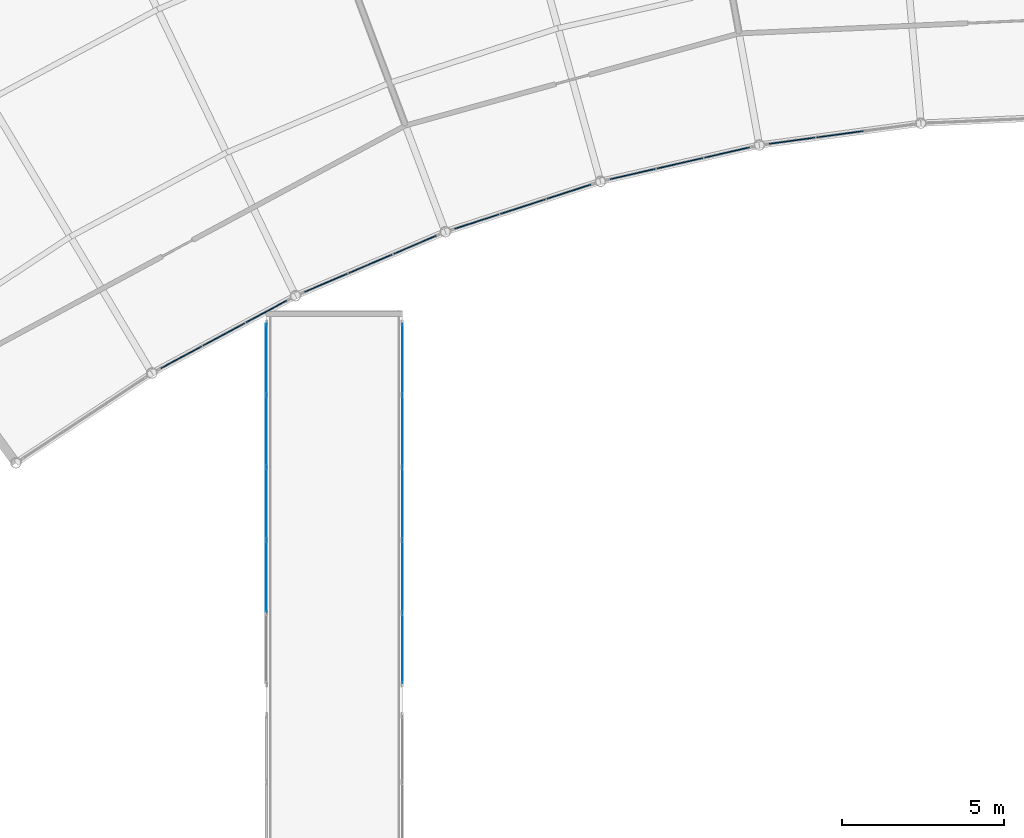
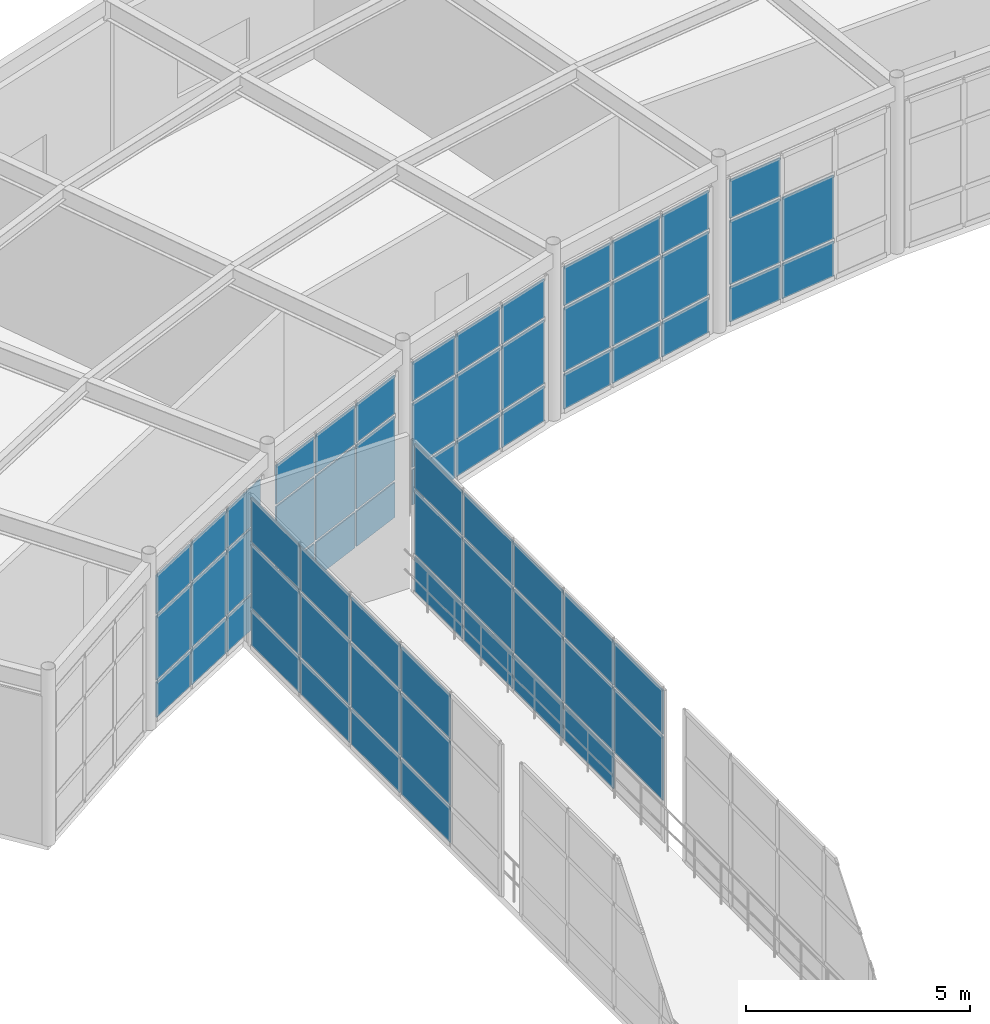
# One storey, part 88 of 116: 67 plates, 7 elements without a shape of their own.
"""IFC4 building model written with IfcOpenShell, lengths in metres."""

from ifc_helpers import new_model, si_unit, direction, frame, origin, origin_2d, place, context, subcontext, project, spatial, rectangle, extrude, material, layer, layer_set, type_object, element, aggregate, save


model = new_model("IFC4")

# Units and contexts
model_context = context("Model", 3, precision=1e-05, world=origin(), true_north=direction((0.0, 1.0)))
body_context = subcontext(model_context, "Body", "Model", "MODEL_VIEW")
ifc_project = project(units=[si_unit("LENGTHUNIT", "METRE"), si_unit("AREAUNIT", "SQUARE_METRE"), si_unit("VOLUMEUNIT", "CUBIC_METRE"), si_unit("PLANEANGLEUNIT", "RADIAN"), si_unit("MASSUNIT", "GRAM", prefix="KILO")], contexts=[model_context])

# Site, building, storey
site_placement = place(None, origin())
site = spatial("IfcSite", under=ifc_project, at=site_placement, CompositionType="ELEMENT")
building_placement = place(site_placement, origin())
building = spatial("IfcBuilding", under=site, at=building_placement, Name="Selat Folded Stagehouse", CompositionType="ELEMENT")
storey_placement = place(building_placement, frame((0.0, 0.0, 5.39990234375)))
storey = spatial("IfcBuildingStorey", under=building, at=storey_placement, Name="L01", CompositionType="ELEMENT", Elevation=5.39990234375)

# Curtain wall, plates
ifc_material_1 = material(Name="Aluminium 6063-T6", Category="aluminium")
ifc_layer_1 = layer(ifc_material_1, 0.175048828125)
ifc_layer_set_1 = layer_set([ifc_layer_1], Name="Aluminium 6063-T6")
curtain_wall_type_1 = type_object("IfcCurtainWallType", Name="CW-BRG-GLAZ", PredefinedType="NOTDEFINED", material=ifc_layer_set_1)
curtain_wall_1_placement = place(storey_placement, origin())
curtain_wall_1 = element("IfcCurtainWall", 1, at=curtain_wall_1_placement, inside=storey, type_object=curtain_wall_type_1, Name="L01 curtain wall CW-BRG-05", PredefinedType="NOTDEFINED")
ifc_material_2 = material(Name="Clear laminated double glazing", Category="glass")
ifc_layer_2 = layer(ifc_material_2, 0.028076171875)
ifc_layer_set_2 = layer_set([ifc_layer_2], Name="Clear laminated double glazing")
plate_type_1 = type_object("IfcPlateType", Name="CWP-GLZ-DGU28", PredefinedType="CURTAIN_PANEL", material=ifc_layer_set_2)
plate_1_placement = place(storey_placement, frame((67.199951171875, 79.81005859375, 0.06494140625), z_axis=(0.0, 0.0, 1.0), x_axis=(0.0, 1.0, 0.0)))
plate_1 = element("IfcPlate", 2, at=plate_1_placement, type_object=plate_type_1, Name="CW-07 panel 2.1", PredefinedType="CURTAIN_PANEL", context=body_context, shape_type="SweptSolid", body=[
    extrude(rectangle(XDim=2.179931640625, YDim=0.028076171875, at=origin_2d()), origin(), (0.0, 0.0, 1.0), 0.952392578125),
])
plate_2_placement = place(storey_placement, frame((67.199951171875, 79.81005859375, 1.08251953125), z_axis=(0.0, 0.0, 1.0), x_axis=(0.0, 1.0, 0.0)))
plate_2 = element("IfcPlate", 3, at=plate_2_placement, type_object=plate_type_1, Name="CW-07 panel 2.2", PredefinedType="CURTAIN_PANEL", context=body_context, shape_type="SweptSolid", body=[
    extrude(rectangle(XDim=2.179931640625, YDim=0.028076171875, at=origin_2d()), origin(), (0.0, 0.0, 1.0), 1.735107421875),
])
plate_3_placement = place(storey_placement, frame((67.199951171875, 79.81005859375, 2.8828125), z_axis=(0.0, 0.0, 1.0), x_axis=(0.0, 1.0, 0.0)))
plate_3 = element("IfcPlate", 4, at=plate_3_placement, type_object=plate_type_1, Name="CW-07 panel 2.3", PredefinedType="CURTAIN_PANEL", context=body_context, shape_type="SweptSolid", body=[
    extrude(rectangle(XDim=2.179931640625, YDim=0.028076171875, at=origin_2d()), origin(), (0.0, 0.0, 1.0), 1.202392578125),
])
plate_4_placement = place(storey_placement, frame((67.199951171875, 82.050048828125, 0.06494140625), z_axis=(0.0, 0.0, 1.0), x_axis=(0.0, 1.0, 0.0)))
plate_4 = element("IfcPlate", 5, at=plate_4_placement, type_object=plate_type_1, Name="CW-07 panel 3.1", PredefinedType="CURTAIN_PANEL", context=body_context, shape_type="SweptSolid", body=[
    extrude(rectangle(XDim=2.179931640625, YDim=0.028076171875, at=origin_2d()), origin(), (0.0, 0.0, 1.0), 0.952392578125),
])
plate_5_placement = place(storey_placement, frame((67.199951171875, 82.050048828125, 1.08251953125), z_axis=(0.0, 0.0, 1.0), x_axis=(0.0, 1.0, 0.0)))
plate_5 = element("IfcPlate", 6, at=plate_5_placement, type_object=plate_type_1, Name="CW-07 panel 3.2", PredefinedType="CURTAIN_PANEL", context=body_context, shape_type="SweptSolid", body=[
    extrude(rectangle(XDim=2.179931640625, YDim=0.028076171875, at=origin_2d()), origin(), (0.0, 0.0, 1.0), 1.735107421875),
])
plate_6_placement = place(storey_placement, frame((67.199951171875, 82.050048828125, 2.8828125), z_axis=(0.0, 0.0, 1.0), x_axis=(0.0, 1.0, 0.0)))
plate_6 = element("IfcPlate", 7, at=plate_6_placement, type_object=plate_type_1, Name="CW-07 panel 3.3", PredefinedType="CURTAIN_PANEL", context=body_context, shape_type="SweptSolid", body=[
    extrude(rectangle(XDim=2.179931640625, YDim=0.028076171875, at=origin_2d()), origin(), (0.0, 0.0, 1.0), 1.202392578125),
])
plate_7_placement = place(storey_placement, frame((67.199951171875, 84.2900390625, 0.06494140625), z_axis=(0.0, 0.0, 1.0), x_axis=(0.0, 1.0, 0.0)))
plate_7 = element("IfcPlate", 8, at=plate_7_placement, type_object=plate_type_1, Name="CW-07 panel 4.1", PredefinedType="CURTAIN_PANEL", context=body_context, shape_type="SweptSolid", body=[
    extrude(rectangle(XDim=2.179931640625, YDim=0.028076171875, at=origin_2d()), origin(), (0.0, 0.0, 1.0), 0.952392578125),
])
plate_8_placement = place(storey_placement, frame((67.199951171875, 84.2900390625, 1.08251953125), z_axis=(0.0, 0.0, 1.0), x_axis=(0.0, 1.0, 0.0)))
plate_8 = element("IfcPlate", 9, at=plate_8_placement, type_object=plate_type_1, Name="CW-07 panel 4.2", PredefinedType="CURTAIN_PANEL", context=body_context, shape_type="SweptSolid", body=[
    extrude(rectangle(XDim=2.179931640625, YDim=0.028076171875, at=origin_2d()), origin(), (0.0, 0.0, 1.0), 1.735107421875),
])
plate_9_placement = place(storey_placement, frame((67.199951171875, 84.2900390625, 2.8828125), z_axis=(0.0, 0.0, 1.0), x_axis=(0.0, 1.0, 0.0)))
plate_9 = element("IfcPlate", 10, at=plate_9_placement, type_object=plate_type_1, Name="CW-07 panel 4.3", PredefinedType="CURTAIN_PANEL", context=body_context, shape_type="SweptSolid", body=[
    extrude(rectangle(XDim=2.179931640625, YDim=0.028076171875, at=origin_2d()), origin(), (0.0, 0.0, 1.0), 1.202392578125),
])
plate_10_placement = place(storey_placement, frame((67.199951171875, 86.514892578125, 0.06494140625), z_axis=(0.0, 0.0, 1.0), x_axis=(0.0, 1.0, 0.0)))
plate_10 = element("IfcPlate", 11, at=plate_10_placement, type_object=plate_type_1, Name="CW-07 panel 5.1", PredefinedType="CURTAIN_PANEL", context=body_context, shape_type="SweptSolid", body=[
    extrude(rectangle(XDim=2.14990234375, YDim=0.028076171875, at=origin_2d()), origin(), (0.0, 0.0, 1.0), 0.952392578125),
])
plate_11_placement = place(storey_placement, frame((67.199951171875, 86.514892578125, 1.08251953125), z_axis=(0.0, 0.0, 1.0), x_axis=(0.0, 1.0, 0.0)))
plate_11 = element("IfcPlate", 12, at=plate_11_placement, type_object=plate_type_1, Name="CW-07 panel 5.2", PredefinedType="CURTAIN_PANEL", context=body_context, shape_type="SweptSolid", body=[
    extrude(rectangle(XDim=2.14990234375, YDim=0.028076171875, at=origin_2d()), origin(), (0.0, 0.0, 1.0), 1.735107421875),
])
plate_12_placement = place(storey_placement, frame((67.199951171875, 86.514892578125, 2.8828125), z_axis=(0.0, 0.0, 1.0), x_axis=(0.0, 1.0, 0.0)))
plate_12 = element("IfcPlate", 13, at=plate_12_placement, type_object=plate_type_1, Name="CW-07 panel 5.3", PredefinedType="CURTAIN_PANEL", context=body_context, shape_type="SweptSolid", body=[
    extrude(rectangle(XDim=2.14990234375, YDim=0.028076171875, at=origin_2d()), origin(), (0.0, 0.0, 1.0), 1.202392578125),
])
aggregate(curtain_wall_1, [plate_1, plate_2, plate_3, plate_4, plate_5, plate_6, plate_7, plate_8, plate_9, plate_10, plate_11, plate_12])

curtain_wall_2_placement = place(storey_placement, origin())
curtain_wall_2 = element("IfcCurtainWall", 14, at=curtain_wall_2_placement, inside=storey, type_object=curtain_wall_type_1, Name="L01 curtain wall CW-BRG-10", PredefinedType="NOTDEFINED")
plate_13_placement = place(storey_placement, frame((71.39990234375, 86.514892578125, 0.06494140625), z_axis=(0.0, 0.0, 1.0), x_axis=(0.0, -1.0, 0.0)))
plate_13 = element("IfcPlate", 15, at=plate_13_placement, type_object=plate_type_1, Name="CW-07 panel 1.1", PredefinedType="CURTAIN_PANEL", context=body_context, shape_type="SweptSolid", body=[
    extrude(rectangle(XDim=2.14990234375, YDim=0.028076171875, at=origin_2d()), origin(), (0.0, 0.0, 1.0), 0.952392578125),
])
plate_14_placement = place(storey_placement, frame((71.39990234375, 86.514892578125, 1.08251953125), z_axis=(0.0, 0.0, 1.0), x_axis=(0.0, -1.0, 0.0)))
plate_14 = element("IfcPlate", 16, at=plate_14_placement, type_object=plate_type_1, Name="CW-07 panel 1.2", PredefinedType="CURTAIN_PANEL", context=body_context, shape_type="SweptSolid", body=[
    extrude(rectangle(XDim=2.14990234375, YDim=0.028076171875, at=origin_2d()), origin(), (0.0, 0.0, 1.0), 1.735107421875),
])
plate_15_placement = place(storey_placement, frame((71.39990234375, 86.514892578125, 2.8828125), z_axis=(0.0, 0.0, 1.0), x_axis=(0.0, -1.0, 0.0)))
plate_15 = element("IfcPlate", 17, at=plate_15_placement, type_object=plate_type_1, Name="CW-07 panel 1.3", PredefinedType="CURTAIN_PANEL", context=body_context, shape_type="SweptSolid", body=[
    extrude(rectangle(XDim=2.14990234375, YDim=0.028076171875, at=origin_2d()), origin(), (0.0, 0.0, 1.0), 1.202392578125),
])
plate_16_placement = place(storey_placement, frame((71.39990234375, 84.2900390625, 0.06494140625), z_axis=(0.0, 0.0, 1.0), x_axis=(0.0, -1.0, 0.0)))
plate_16 = element("IfcPlate", 18, at=plate_16_placement, type_object=plate_type_1, Name="CW-07 panel 2.1", PredefinedType="CURTAIN_PANEL", context=body_context, shape_type="SweptSolid", body=[
    extrude(rectangle(XDim=2.179931640625, YDim=0.028076171875, at=origin_2d()), origin(), (0.0, 0.0, 1.0), 0.952392578125),
])
plate_17_placement = place(storey_placement, frame((71.39990234375, 84.2900390625, 1.08251953125), z_axis=(0.0, 0.0, 1.0), x_axis=(0.0, -1.0, 0.0)))
plate_17 = element("IfcPlate", 19, at=plate_17_placement, type_object=plate_type_1, Name="CW-07 panel 2.2", PredefinedType="CURTAIN_PANEL", context=body_context, shape_type="SweptSolid", body=[
    extrude(rectangle(XDim=2.179931640625, YDim=0.028076171875, at=origin_2d()), origin(), (0.0, 0.0, 1.0), 1.735107421875),
])
plate_18_placement = place(storey_placement, frame((71.39990234375, 84.2900390625, 2.8828125), z_axis=(0.0, 0.0, 1.0), x_axis=(0.0, -1.0, 0.0)))
plate_18 = element("IfcPlate", 20, at=plate_18_placement, type_object=plate_type_1, Name="CW-07 panel 2.3", PredefinedType="CURTAIN_PANEL", context=body_context, shape_type="SweptSolid", body=[
    extrude(rectangle(XDim=2.179931640625, YDim=0.028076171875, at=origin_2d()), origin(), (0.0, 0.0, 1.0), 1.202392578125),
])
plate_19_placement = place(storey_placement, frame((71.39990234375, 82.050048828125, 0.06494140625), z_axis=(0.0, 0.0, 1.0), x_axis=(0.0, -1.0, 0.0)))
plate_19 = element("IfcPlate", 21, at=plate_19_placement, type_object=plate_type_1, Name="CW-07 panel 3.1", PredefinedType="CURTAIN_PANEL", context=body_context, shape_type="SweptSolid", body=[
    extrude(rectangle(XDim=2.179931640625, YDim=0.028076171875, at=origin_2d()), origin(), (0.0, 0.0, 1.0), 0.952392578125),
])
plate_20_placement = place(storey_placement, frame((71.39990234375, 82.050048828125, 1.08251953125), z_axis=(0.0, 0.0, 1.0), x_axis=(0.0, -1.0, 0.0)))
plate_20 = element("IfcPlate", 22, at=plate_20_placement, type_object=plate_type_1, Name="CW-07 panel 3.2", PredefinedType="CURTAIN_PANEL", context=body_context, shape_type="SweptSolid", body=[
    extrude(rectangle(XDim=2.179931640625, YDim=0.028076171875, at=origin_2d()), origin(), (0.0, 0.0, 1.0), 1.735107421875),
])
plate_21_placement = place(storey_placement, frame((71.39990234375, 82.050048828125, 2.8828125), z_axis=(0.0, 0.0, 1.0), x_axis=(0.0, -1.0, 0.0)))
plate_21 = element("IfcPlate", 23, at=plate_21_placement, type_object=plate_type_1, Name="CW-07 panel 3.3", PredefinedType="CURTAIN_PANEL", context=body_context, shape_type="SweptSolid", body=[
    extrude(rectangle(XDim=2.179931640625, YDim=0.028076171875, at=origin_2d()), origin(), (0.0, 0.0, 1.0), 1.202392578125),
])
plate_22_placement = place(storey_placement, frame((71.39990234375, 79.81005859375, 0.06494140625), z_axis=(0.0, 0.0, 1.0), x_axis=(0.0, -1.0, 0.0)))
plate_22 = element("IfcPlate", 24, at=plate_22_placement, type_object=plate_type_1, Name="CW-07 panel 4.1", PredefinedType="CURTAIN_PANEL", context=body_context, shape_type="SweptSolid", body=[
    extrude(rectangle(XDim=2.179931640625, YDim=0.028076171875, at=origin_2d()), origin(), (0.0, 0.0, 1.0), 0.952392578125),
])
plate_23_placement = place(storey_placement, frame((71.39990234375, 79.81005859375, 1.08251953125), z_axis=(0.0, 0.0, 1.0), x_axis=(0.0, -1.0, 0.0)))
plate_23 = element("IfcPlate", 25, at=plate_23_placement, type_object=plate_type_1, Name="CW-07 panel 4.2", PredefinedType="CURTAIN_PANEL", context=body_context, shape_type="SweptSolid", body=[
    extrude(rectangle(XDim=2.179931640625, YDim=0.028076171875, at=origin_2d()), origin(), (0.0, 0.0, 1.0), 1.735107421875),
])
plate_24_placement = place(storey_placement, frame((71.39990234375, 79.81005859375, 2.8828125), z_axis=(0.0, 0.0, 1.0), x_axis=(0.0, -1.0, 0.0)))
plate_24 = element("IfcPlate", 26, at=plate_24_placement, type_object=plate_type_1, Name="CW-07 panel 4.3", PredefinedType="CURTAIN_PANEL", context=body_context, shape_type="SweptSolid", body=[
    extrude(rectangle(XDim=2.179931640625, YDim=0.028076171875, at=origin_2d()), origin(), (0.0, 0.0, 1.0), 1.202392578125),
])
plate_25_placement = place(storey_placement, frame((71.39990234375, 77.5849609375, 1.08251953125), z_axis=(0.0, 0.0, 1.0), x_axis=(0.0, -1.0, 0.0)))
plate_25 = element("IfcPlate", 27, at=plate_25_placement, type_object=plate_type_1, Name="CW-07 panel 5.2", PredefinedType="CURTAIN_PANEL", context=body_context, shape_type="SweptSolid", body=[
    extrude(rectangle(XDim=2.14990234375, YDim=0.028076171875, at=origin_2d()), origin(), (0.0, 0.0, 1.0), 1.735107421875),
])
plate_26_placement = place(storey_placement, frame((71.39990234375, 77.5849609375, 2.8828125), z_axis=(0.0, 0.0, 1.0), x_axis=(0.0, -1.0, 0.0)))
plate_26 = element("IfcPlate", 28, at=plate_26_placement, type_object=plate_type_1, Name="CW-07 panel 5.3", PredefinedType="CURTAIN_PANEL", context=body_context, shape_type="SweptSolid", body=[
    extrude(rectangle(XDim=2.14990234375, YDim=0.028076171875, at=origin_2d()), origin(), (0.0, 0.0, 1.0), 1.202392578125),
])
aggregate(curtain_wall_2, [plate_13, plate_14, plate_15, plate_16, plate_17, plate_18, plate_19, plate_20, plate_21, plate_22, plate_23, plate_24, plate_25, plate_26])

ifc_layer_3 = layer(ifc_material_1, 0.18994140625)
ifc_layer_set_3 = layer_set([ifc_layer_3], Name="Aluminium 6063-T6")
curtain_wall_type_2 = type_object("IfcCurtainWallType", Name="CW-REH-ARC", PredefinedType="NOTDEFINED", material=ifc_layer_set_3)
curtain_wall_3_placement = place(storey_placement, origin())
curtain_wall_3 = element("IfcCurtainWall", 29, at=curtain_wall_3_placement, inside=storey, type_object=curtain_wall_type_2, Name="L01 curtain wall CW-REH-L01-01", PredefinedType="NOTDEFINED")
ifc_material_3 = material(Name="Laminated low-E double glazing", Category="glass")
ifc_layer_4 = layer(ifc_material_3, 0.031982421875)
ifc_layer_set_4 = layer_set([ifc_layer_4], Name="Laminated low-E double glazing")
plate_type_2 = type_object("IfcPlateType", Name="CWP-GLZ-DGU32", PredefinedType="CURTAIN_PANEL", material=ifc_layer_set_4)
plate_27_placement = place(storey_placement, frame((67.205078125, 87.971435546875, 0.06494140625), z_axis=(0.0, 0.0, 1.0), x_axis=(-0.880600927119, -0.473858636259, 0.0)))
plate_27 = element("IfcPlate", 30, at=plate_27_placement, type_object=plate_type_2, Name="CW-06 panel 1.1", PredefinedType="CURTAIN_PANEL", context=body_context, shape_type="SweptSolid", body=[
    extrude(rectangle(XDim=1.418212890625, YDim=0.031982421875, at=origin_2d()), origin(), (0.0, 0.0, 1.0), 0.952392578125),
])
plate_28_placement = place(storey_placement, frame((67.205078125, 87.971435546875, 1.08251953125), z_axis=(0.0, 0.0, 1.0), x_axis=(-0.880600927119, -0.473858636259, 0.0)))
plate_28 = element("IfcPlate", 31, at=plate_28_placement, type_object=plate_type_2, Name="CW-06 panel 1.2", PredefinedType="CURTAIN_PANEL", context=body_context, shape_type="SweptSolid", body=[
    extrude(rectangle(XDim=1.418212890625, YDim=0.031982421875, at=origin_2d()), origin(), (0.0, 0.0, 1.0), 1.735107421875),
])
plate_29_placement = place(storey_placement, frame((67.205078125, 87.971435546875, 2.8828125), z_axis=(0.0, 0.0, 1.0), x_axis=(-0.880600927119, -0.473858636259, 0.0)))
plate_29 = element("IfcPlate", 32, at=plate_29_placement, type_object=plate_type_2, Name="CW-06 panel 1.3", PredefinedType="CURTAIN_PANEL", context=body_context, shape_type="SweptSolid", body=[
    extrude(rectangle(XDim=1.418212890625, YDim=0.031982421875, at=origin_2d()), origin(), (0.0, 0.0, 1.0), 1.052490234375),
])
plate_30_placement = place(storey_placement, frame((65.89013671875, 87.263671875, 0.06494140625), z_axis=(0.0, 0.0, 1.0), x_axis=(-0.880600927119, -0.473858636259, 0.0)))
plate_30 = element("IfcPlate", 33, at=plate_30_placement, type_object=plate_type_2, Name="CW-06 panel 2.1", PredefinedType="CURTAIN_PANEL", context=body_context, shape_type="SweptSolid", body=[
    extrude(rectangle(XDim=1.4482421875, YDim=0.031982421875, at=origin_2d()), origin(), (0.0, 0.0, 1.0), 0.952392578125),
])
plate_31_placement = place(storey_placement, frame((65.89013671875, 87.263671875, 1.08251953125), z_axis=(0.0, 0.0, 1.0), x_axis=(-0.880600927119, -0.473858636259, 0.0)))
plate_31 = element("IfcPlate", 34, at=plate_31_placement, type_object=plate_type_2, Name="CW-06 panel 2.2", PredefinedType="CURTAIN_PANEL", context=body_context, shape_type="SweptSolid", body=[
    extrude(rectangle(XDim=1.4482421875, YDim=0.031982421875, at=origin_2d()), origin(), (0.0, 0.0, 1.0), 1.735107421875),
])
plate_32_placement = place(storey_placement, frame((65.89013671875, 87.263671875, 2.8828125), z_axis=(0.0, 0.0, 1.0), x_axis=(-0.880600927119, -0.473858636259, 0.0)))
plate_32 = element("IfcPlate", 35, at=plate_32_placement, type_object=plate_type_2, Name="CW-06 panel 2.3", PredefinedType="CURTAIN_PANEL", context=body_context, shape_type="SweptSolid", body=[
    extrude(rectangle(XDim=1.4482421875, YDim=0.031982421875, at=origin_2d()), origin(), (0.0, 0.0, 1.0), 1.052490234375),
])
plate_33_placement = place(storey_placement, frame((64.574951171875, 86.55615234375, 0.06494140625), z_axis=(0.0, 0.0, 1.0), x_axis=(-0.880600927119, -0.473858636259, 0.0)))
plate_33 = element("IfcPlate", 36, at=plate_33_placement, type_object=plate_type_2, Name="CW-06 panel 3.1", PredefinedType="CURTAIN_PANEL", context=body_context, shape_type="SweptSolid", body=[
    extrude(rectangle(XDim=1.418212890625, YDim=0.031982421875, at=origin_2d()), origin(), (0.0, 0.0, 1.0), 0.952392578125),
])
plate_34_placement = place(storey_placement, frame((64.574951171875, 86.55615234375, 1.08251953125), z_axis=(0.0, 0.0, 1.0), x_axis=(-0.880600927119, -0.473858636259, 0.0)))
plate_34 = element("IfcPlate", 37, at=plate_34_placement, type_object=plate_type_2, Name="CW-06 panel 3.2", PredefinedType="CURTAIN_PANEL", context=body_context, shape_type="SweptSolid", body=[
    extrude(rectangle(XDim=1.418212890625, YDim=0.031982421875, at=origin_2d()), origin(), (0.0, 0.0, 1.0), 1.735107421875),
])
plate_35_placement = place(storey_placement, frame((64.574951171875, 86.55615234375, 2.8828125), z_axis=(0.0, 0.0, 1.0), x_axis=(-0.880600927119, -0.473858636259, 0.0)))
plate_35 = element("IfcPlate", 38, at=plate_35_placement, type_object=plate_type_2, Name="CW-06 panel 3.3", PredefinedType="CURTAIN_PANEL", context=body_context, shape_type="SweptSolid", body=[
    extrude(rectangle(XDim=1.418212890625, YDim=0.031982421875, at=origin_2d()), origin(), (0.0, 0.0, 1.0), 1.052490234375),
])
aggregate(curtain_wall_3, [plate_27, plate_28, plate_29, plate_30, plate_31, plate_32, plate_33, plate_34, plate_35])

curtain_wall_4_placement = place(storey_placement, origin())
curtain_wall_4 = element("IfcCurtainWall", 39, at=curtain_wall_4_placement, inside=storey, type_object=curtain_wall_type_2, Name="L01 curtain wall CW-REH-L01-02", PredefinedType="NOTDEFINED")
plate_36_placement = place(storey_placement, frame((71.785888671875, 90.028564453125, 0.06494140625), z_axis=(0.0, 0.0, 1.0), x_axis=(-0.919533245639, -0.393012226483, 0.0)))
plate_36 = element("IfcPlate", 40, at=plate_36_placement, type_object=plate_type_2, Name="CW-06 panel 1.1", PredefinedType="CURTAIN_PANEL", context=body_context, shape_type="SweptSolid", body=[
    extrude(rectangle(XDim=1.418212890625, YDim=0.031982421875, at=origin_2d()), origin(), (0.0, 0.0, 1.0), 0.952392578125),
])
plate_37_placement = place(storey_placement, frame((71.785888671875, 90.028564453125, 1.08251953125), z_axis=(0.0, 0.0, 1.0), x_axis=(-0.919533245639, -0.393012226483, 0.0)))
plate_37 = element("IfcPlate", 41, at=plate_37_placement, type_object=plate_type_2, Name="CW-06 panel 1.2", PredefinedType="CURTAIN_PANEL", context=body_context, shape_type="SweptSolid", body=[
    extrude(rectangle(XDim=1.418212890625, YDim=0.031982421875, at=origin_2d()), origin(), (0.0, 0.0, 1.0), 1.735107421875),
])
plate_38_placement = place(storey_placement, frame((71.785888671875, 90.028564453125, 2.8828125), z_axis=(0.0, 0.0, 1.0), x_axis=(-0.919533245639, -0.393012226483, 0.0)))
plate_38 = element("IfcPlate", 42, at=plate_38_placement, type_object=plate_type_2, Name="CW-06 panel 1.3", PredefinedType="CURTAIN_PANEL", context=body_context, shape_type="SweptSolid", body=[
    extrude(rectangle(XDim=1.418212890625, YDim=0.031982421875, at=origin_2d()), origin(), (0.0, 0.0, 1.0), 1.052490234375),
])
plate_39_placement = place(storey_placement, frame((70.412841796875, 89.441650390625, 0.06494140625), z_axis=(0.0, 0.0, 1.0), x_axis=(-0.919533245639, -0.393012226483, 0.0)))
plate_39 = element("IfcPlate", 43, at=plate_39_placement, type_object=plate_type_2, Name="CW-06 panel 2.1", PredefinedType="CURTAIN_PANEL", context=body_context, shape_type="SweptSolid", body=[
    extrude(rectangle(XDim=1.4482421875, YDim=0.031982421875, at=origin_2d()), origin(), (0.0, 0.0, 1.0), 0.952392578125),
])
plate_40_placement = place(storey_placement, frame((70.412841796875, 89.441650390625, 1.08251953125), z_axis=(0.0, 0.0, 1.0), x_axis=(-0.919533245639, -0.393012226483, 0.0)))
plate_40 = element("IfcPlate", 44, at=plate_40_placement, type_object=plate_type_2, Name="CW-06 panel 2.2", PredefinedType="CURTAIN_PANEL", context=body_context, shape_type="SweptSolid", body=[
    extrude(rectangle(XDim=1.4482421875, YDim=0.031982421875, at=origin_2d()), origin(), (0.0, 0.0, 1.0), 1.735107421875),
])
plate_41_placement = place(storey_placement, frame((70.412841796875, 89.441650390625, 2.8828125), z_axis=(0.0, 0.0, 1.0), x_axis=(-0.919533245639, -0.393012226483, 0.0)))
plate_41 = element("IfcPlate", 45, at=plate_41_placement, type_object=plate_type_2, Name="CW-06 panel 2.3", PredefinedType="CURTAIN_PANEL", context=body_context, shape_type="SweptSolid", body=[
    extrude(rectangle(XDim=1.4482421875, YDim=0.031982421875, at=origin_2d()), origin(), (0.0, 0.0, 1.0), 1.052490234375),
])
plate_42_placement = place(storey_placement, frame((69.03955078125, 88.85498046875, 0.06494140625), z_axis=(0.0, 0.0, 1.0), x_axis=(-0.919533245639, -0.393012226483, 0.0)))
plate_42 = element("IfcPlate", 46, at=plate_42_placement, type_object=plate_type_2, Name="CW-06 panel 3.1", PredefinedType="CURTAIN_PANEL", context=body_context, shape_type="SweptSolid", body=[
    extrude(rectangle(XDim=1.418212890625, YDim=0.031982421875, at=origin_2d()), origin(), (0.0, 0.0, 1.0), 0.952392578125),
])
plate_43_placement = place(storey_placement, frame((69.03955078125, 88.85498046875, 1.08251953125), z_axis=(0.0, 0.0, 1.0), x_axis=(-0.919533245639, -0.393012226483, 0.0)))
plate_43 = element("IfcPlate", 47, at=plate_43_placement, type_object=plate_type_2, Name="CW-06 panel 3.2", PredefinedType="CURTAIN_PANEL", context=body_context, shape_type="SweptSolid", body=[
    extrude(rectangle(XDim=1.418212890625, YDim=0.031982421875, at=origin_2d()), origin(), (0.0, 0.0, 1.0), 1.735107421875),
])
plate_44_placement = place(storey_placement, frame((69.03955078125, 88.85498046875, 2.8828125), z_axis=(0.0, 0.0, 1.0), x_axis=(-0.919533245639, -0.393012226483, 0.0)))
plate_44 = element("IfcPlate", 48, at=plate_44_placement, type_object=plate_type_2, Name="CW-06 panel 3.3", PredefinedType="CURTAIN_PANEL", context=body_context, shape_type="SweptSolid", body=[
    extrude(rectangle(XDim=1.418212890625, YDim=0.031982421875, at=origin_2d()), origin(), (0.0, 0.0, 1.0), 1.052490234375),
])
aggregate(curtain_wall_4, [plate_36, plate_37, plate_38, plate_39, plate_40, plate_41, plate_42, plate_43, plate_44])

curtain_wall_5_placement = place(storey_placement, origin())
curtain_wall_5 = element("IfcCurtainWall", 49, at=curtain_wall_5_placement, inside=storey, type_object=curtain_wall_type_2, Name="L01 curtain wall CW-REH-L01-03", PredefinedType="NOTDEFINED")
plate_45_placement = place(storey_placement, frame((76.53271484375, 91.6669921875, 0.06494140625), z_axis=(0.0, 0.0, 1.0), x_axis=(-0.951064760323, -0.308991620714, 0.0)))
plate_45 = element("IfcPlate", 50, at=plate_45_placement, type_object=plate_type_2, Name="CW-06 panel 1.1", PredefinedType="CURTAIN_PANEL", context=body_context, shape_type="SweptSolid", body=[
    extrude(rectangle(XDim=1.418212890625, YDim=0.031982421875, at=origin_2d()), origin(), (0.0, 0.0, 1.0), 0.952392578125),
])
plate_46_placement = place(storey_placement, frame((76.53271484375, 91.6669921875, 1.08251953125), z_axis=(0.0, 0.0, 1.0), x_axis=(-0.951064760323, -0.308991620714, 0.0)))
plate_46 = element("IfcPlate", 51, at=plate_46_placement, type_object=plate_type_2, Name="CW-06 panel 1.2", PredefinedType="CURTAIN_PANEL", context=body_context, shape_type="SweptSolid", body=[
    extrude(rectangle(XDim=1.418212890625, YDim=0.031982421875, at=origin_2d()), origin(), (0.0, 0.0, 1.0), 1.735107421875),
])
plate_47_placement = place(storey_placement, frame((76.53271484375, 91.6669921875, 2.8828125), z_axis=(0.0, 0.0, 1.0), x_axis=(-0.951064760323, -0.308991620714, 0.0)))
plate_47 = element("IfcPlate", 52, at=plate_47_placement, type_object=plate_type_2, Name="CW-06 panel 1.3", PredefinedType="CURTAIN_PANEL", context=body_context, shape_type="SweptSolid", body=[
    extrude(rectangle(XDim=1.418212890625, YDim=0.031982421875, at=origin_2d()), origin(), (0.0, 0.0, 1.0), 1.052490234375),
])
plate_48_placement = place(storey_placement, frame((75.112548828125, 91.20556640625, 0.06494140625), z_axis=(0.0, 0.0, 1.0), x_axis=(-0.951064760323, -0.308991620714, 0.0)))
plate_48 = element("IfcPlate", 53, at=plate_48_placement, type_object=plate_type_2, Name="CW-06 panel 2.1", PredefinedType="CURTAIN_PANEL", context=body_context, shape_type="SweptSolid", body=[
    extrude(rectangle(XDim=1.4482421875, YDim=0.031982421875, at=origin_2d()), origin(), (0.0, 0.0, 1.0), 0.952392578125),
])
plate_49_placement = place(storey_placement, frame((75.112548828125, 91.20556640625, 1.08251953125), z_axis=(0.0, 0.0, 1.0), x_axis=(-0.951064760323, -0.308991620714, 0.0)))
plate_49 = element("IfcPlate", 54, at=plate_49_placement, type_object=plate_type_2, Name="CW-06 panel 2.2", PredefinedType="CURTAIN_PANEL", context=body_context, shape_type="SweptSolid", body=[
    extrude(rectangle(XDim=1.4482421875, YDim=0.031982421875, at=origin_2d()), origin(), (0.0, 0.0, 1.0), 1.735107421875),
])
plate_50_placement = place(storey_placement, frame((75.112548828125, 91.20556640625, 2.8828125), z_axis=(0.0, 0.0, 1.0), x_axis=(-0.951064760323, -0.308991620714, 0.0)))
plate_50 = element("IfcPlate", 55, at=plate_50_placement, type_object=plate_type_2, Name="CW-06 panel 2.3", PredefinedType="CURTAIN_PANEL", context=body_context, shape_type="SweptSolid", body=[
    extrude(rectangle(XDim=1.4482421875, YDim=0.031982421875, at=origin_2d()), origin(), (0.0, 0.0, 1.0), 1.052490234375),
])
plate_51_placement = place(storey_placement, frame((73.6923828125, 90.744140625, 0.06494140625), z_axis=(0.0, 0.0, 1.0), x_axis=(-0.951064760323, -0.308991620714, 0.0)))
plate_51 = element("IfcPlate", 56, at=plate_51_placement, type_object=plate_type_2, Name="CW-06 panel 3.1", PredefinedType="CURTAIN_PANEL", context=body_context, shape_type="SweptSolid", body=[
    extrude(rectangle(XDim=1.418212890625, YDim=0.031982421875, at=origin_2d()), origin(), (0.0, 0.0, 1.0), 0.952392578125),
])
plate_52_placement = place(storey_placement, frame((73.6923828125, 90.744140625, 1.08251953125), z_axis=(0.0, 0.0, 1.0), x_axis=(-0.951064760323, -0.308991620714, 0.0)))
plate_52 = element("IfcPlate", 57, at=plate_52_placement, type_object=plate_type_2, Name="CW-06 panel 3.2", PredefinedType="CURTAIN_PANEL", context=body_context, shape_type="SweptSolid", body=[
    extrude(rectangle(XDim=1.418212890625, YDim=0.031982421875, at=origin_2d()), origin(), (0.0, 0.0, 1.0), 1.735107421875),
])
plate_53_placement = place(storey_placement, frame((73.6923828125, 90.744140625, 2.8828125), z_axis=(0.0, 0.0, 1.0), x_axis=(-0.951064760323, -0.308991620714, 0.0)))
plate_53 = element("IfcPlate", 58, at=plate_53_placement, type_object=plate_type_2, Name="CW-06 panel 3.3", PredefinedType="CURTAIN_PANEL", context=body_context, shape_type="SweptSolid", body=[
    extrude(rectangle(XDim=1.418212890625, YDim=0.031982421875, at=origin_2d()), origin(), (0.0, 0.0, 1.0), 1.052490234375),
])
aggregate(curtain_wall_5, [plate_45, plate_46, plate_47, plate_48, plate_49, plate_50, plate_51, plate_52, plate_53])

curtain_wall_6_placement = place(storey_placement, origin())
curtain_wall_6 = element("IfcCurtainWall", 59, at=curtain_wall_6_placement, inside=storey, type_object=curtain_wall_type_2, Name="L01 curtain wall CW-REH-L01-04", PredefinedType="NOTDEFINED")
plate_54_placement = place(storey_placement, frame((81.4072265625, 92.873291015625, 0.06494140625), z_axis=(0.0, 0.0, 1.0), x_axis=(-0.974922930026, -0.222542761079, 0.0)))
plate_54 = element("IfcPlate", 60, at=plate_54_placement, type_object=plate_type_2, Name="CW-06 panel 1.1", PredefinedType="CURTAIN_PANEL", context=body_context, shape_type="SweptSolid", body=[
    extrude(rectangle(XDim=1.418212890625, YDim=0.031982421875, at=origin_2d()), origin(), (0.0, 0.0, 1.0), 0.952392578125),
])
plate_55_placement = place(storey_placement, frame((81.4072265625, 92.873291015625, 1.08251953125), z_axis=(0.0, 0.0, 1.0), x_axis=(-0.974922930026, -0.222542761079, 0.0)))
plate_55 = element("IfcPlate", 61, at=plate_55_placement, type_object=plate_type_2, Name="CW-06 panel 1.2", PredefinedType="CURTAIN_PANEL", context=body_context, shape_type="SweptSolid", body=[
    extrude(rectangle(XDim=1.418212890625, YDim=0.031982421875, at=origin_2d()), origin(), (0.0, 0.0, 1.0), 1.735107421875),
])
plate_56_placement = place(storey_placement, frame((81.4072265625, 92.873291015625, 2.8828125), z_axis=(0.0, 0.0, 1.0), x_axis=(-0.974922930026, -0.222542761079, 0.0)))
plate_56 = element("IfcPlate", 62, at=plate_56_placement, type_object=plate_type_2, Name="CW-06 panel 1.3", PredefinedType="CURTAIN_PANEL", context=body_context, shape_type="SweptSolid", body=[
    extrude(rectangle(XDim=1.418212890625, YDim=0.031982421875, at=origin_2d()), origin(), (0.0, 0.0, 1.0), 1.052490234375),
])
plate_57_placement = place(storey_placement, frame((79.951416015625, 92.541015625, 0.06494140625), z_axis=(0.0, 0.0, 1.0), x_axis=(-0.974922930026, -0.222542761079, 0.0)))
plate_57 = element("IfcPlate", 63, at=plate_57_placement, type_object=plate_type_2, Name="CW-06 panel 2.1", PredefinedType="CURTAIN_PANEL", context=body_context, shape_type="SweptSolid", body=[
    extrude(rectangle(XDim=1.4482421875, YDim=0.031982421875, at=origin_2d()), origin(), (0.0, 0.0, 1.0), 0.952392578125),
])
plate_58_placement = place(storey_placement, frame((79.951416015625, 92.541015625, 1.08251953125), z_axis=(0.0, 0.0, 1.0), x_axis=(-0.974922930026, -0.222542761079, 0.0)))
plate_58 = element("IfcPlate", 64, at=plate_58_placement, type_object=plate_type_2, Name="CW-06 panel 2.2", PredefinedType="CURTAIN_PANEL", context=body_context, shape_type="SweptSolid", body=[
    extrude(rectangle(XDim=1.4482421875, YDim=0.031982421875, at=origin_2d()), origin(), (0.0, 0.0, 1.0), 1.735107421875),
])
plate_59_placement = place(storey_placement, frame((79.951416015625, 92.541015625, 2.8828125), z_axis=(0.0, 0.0, 1.0), x_axis=(-0.974922930026, -0.222542761079, 0.0)))
plate_59 = element("IfcPlate", 65, at=plate_59_placement, type_object=plate_type_2, Name="CW-06 panel 2.3", PredefinedType="CURTAIN_PANEL", context=body_context, shape_type="SweptSolid", body=[
    extrude(rectangle(XDim=1.4482421875, YDim=0.031982421875, at=origin_2d()), origin(), (0.0, 0.0, 1.0), 1.052490234375),
])
plate_60_placement = place(storey_placement, frame((78.495361328125, 92.208740234375, 0.06494140625), z_axis=(0.0, 0.0, 1.0), x_axis=(-0.974922930026, -0.222542761079, 0.0)))
plate_60 = element("IfcPlate", 66, at=plate_60_placement, type_object=plate_type_2, Name="CW-06 panel 3.1", PredefinedType="CURTAIN_PANEL", context=body_context, shape_type="SweptSolid", body=[
    extrude(rectangle(XDim=1.418212890625, YDim=0.031982421875, at=origin_2d()), origin(), (0.0, 0.0, 1.0), 0.952392578125),
])
plate_61_placement = place(storey_placement, frame((78.495361328125, 92.208740234375, 1.08251953125), z_axis=(0.0, 0.0, 1.0), x_axis=(-0.974922930026, -0.222542761079, 0.0)))
plate_61 = element("IfcPlate", 67, at=plate_61_placement, type_object=plate_type_2, Name="CW-06 panel 3.2", PredefinedType="CURTAIN_PANEL", context=body_context, shape_type="SweptSolid", body=[
    extrude(rectangle(XDim=1.418212890625, YDim=0.031982421875, at=origin_2d()), origin(), (0.0, 0.0, 1.0), 1.735107421875),
])
plate_62_placement = place(storey_placement, frame((78.495361328125, 92.208740234375, 2.8828125), z_axis=(0.0, 0.0, 1.0), x_axis=(-0.974922930026, -0.222542761079, 0.0)))
plate_62 = element("IfcPlate", 68, at=plate_62_placement, type_object=plate_type_2, Name="CW-06 panel 3.3", PredefinedType="CURTAIN_PANEL", context=body_context, shape_type="SweptSolid", body=[
    extrude(rectangle(XDim=1.418212890625, YDim=0.031982421875, at=origin_2d()), origin(), (0.0, 0.0, 1.0), 1.052490234375),
])
aggregate(curtain_wall_6, [plate_54, plate_55, plate_56, plate_57, plate_58, plate_59, plate_60, plate_61, plate_62])

curtain_wall_7_placement = place(storey_placement, origin())
curtain_wall_7 = element("IfcCurtainWall", 69, at=curtain_wall_7_placement, inside=storey, type_object=curtain_wall_type_2, Name="L01 curtain wall CW-REH-L01-05", PredefinedType="NOTDEFINED")
plate_63_placement = place(storey_placement, frame((84.890380859375, 93.437255859375, 0.06494140625), z_axis=(0.0, 0.0, 1.0), x_axis=(-0.990952673876, -0.134211766018, 0.0)))
plate_63 = element("IfcPlate", 70, at=plate_63_placement, type_object=plate_type_2, Name="CW-06 panel 2.1", PredefinedType="CURTAIN_PANEL", context=body_context, shape_type="SweptSolid", body=[
    extrude(rectangle(XDim=1.4482421875, YDim=0.031982421875, at=origin_2d()), origin(), (0.0, 0.0, 1.0), 0.952392578125),
])
plate_64_placement = place(storey_placement, frame((84.890380859375, 93.437255859375, 1.08251953125), z_axis=(0.0, 0.0, 1.0), x_axis=(-0.990952673876, -0.134211766018, 0.0)))
plate_64 = element("IfcPlate", 71, at=plate_64_placement, type_object=plate_type_2, Name="CW-06 panel 2.2", PredefinedType="CURTAIN_PANEL", context=body_context, shape_type="SweptSolid", body=[
    extrude(rectangle(XDim=1.4482421875, YDim=0.031982421875, at=origin_2d()), origin(), (0.0, 0.0, 1.0), 1.735107421875),
])
plate_65_placement = place(storey_placement, frame((83.41064453125, 93.23681640625, 0.06494140625), z_axis=(0.0, 0.0, 1.0), x_axis=(-0.990952673876, -0.134211766018, 0.0)))
plate_65 = element("IfcPlate", 72, at=plate_65_placement, type_object=plate_type_2, Name="CW-06 panel 3.1", PredefinedType="CURTAIN_PANEL", context=body_context, shape_type="SweptSolid", body=[
    extrude(rectangle(XDim=1.418212890625, YDim=0.031982421875, at=origin_2d()), origin(), (0.0, 0.0, 1.0), 0.952392578125),
])
plate_66_placement = place(storey_placement, frame((83.41064453125, 93.23681640625, 1.08251953125), z_axis=(0.0, 0.0, 1.0), x_axis=(-0.990952673876, -0.134211766018, 0.0)))
plate_66 = element("IfcPlate", 73, at=plate_66_placement, type_object=plate_type_2, Name="CW-06 panel 3.2", PredefinedType="CURTAIN_PANEL", context=body_context, shape_type="SweptSolid", body=[
    extrude(rectangle(XDim=1.418212890625, YDim=0.031982421875, at=origin_2d()), origin(), (0.0, 0.0, 1.0), 1.735107421875),
])
plate_67_placement = place(storey_placement, frame((83.41064453125, 93.23681640625, 2.8828125), z_axis=(0.0, 0.0, 1.0), x_axis=(-0.990952673876, -0.134211766018, 0.0)))
plate_67 = element("IfcPlate", 74, at=plate_67_placement, type_object=plate_type_2, Name="CW-06 panel 3.3", PredefinedType="CURTAIN_PANEL", context=body_context, shape_type="SweptSolid", body=[
    extrude(rectangle(XDim=1.418212890625, YDim=0.031982421875, at=origin_2d()), origin(), (0.0, 0.0, 1.0), 1.052490234375),
])
aggregate(curtain_wall_7, [plate_63, plate_64, plate_65, plate_66, plate_67])

save(model, "model.ifc")
